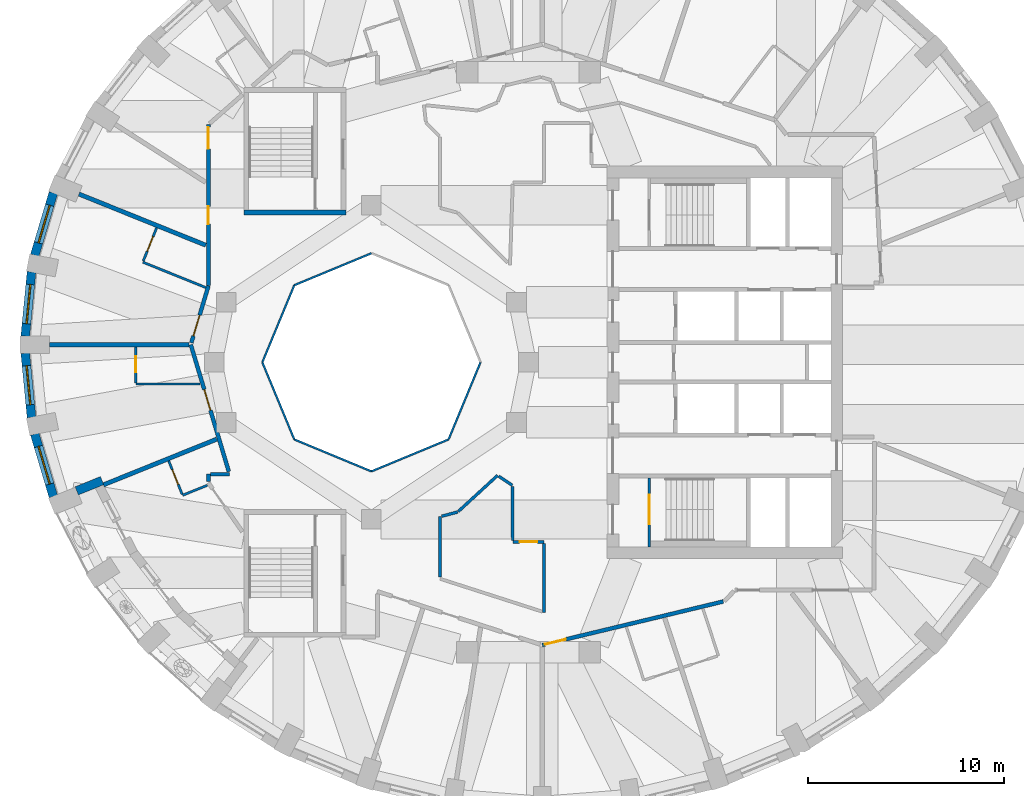
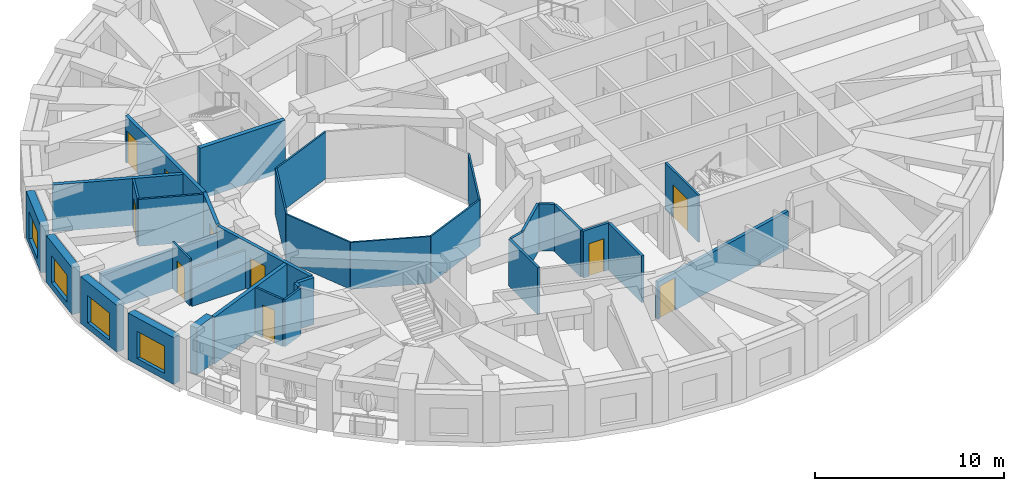
# One storey, part 4 of 12: 35 walls, 10 doors, 4 windows, 14 openings.
"""IFC4 building model written with IfcOpenShell, lengths in metres."""

from ifc_helpers import new_model, si_unit, direction, frame, frame_2d, origin, place, context, subcontext, project, spatial, rectangle, extrude, material, layer, layer_set, type_object, element, fill, save


model = new_model("IFC4")

# Units and contexts
model_context = context("Model", 3, precision=1e-05, world=origin(), true_north=direction((0.0, 1.0)))
body_context = subcontext(model_context, "Body", "Model", "MODEL_VIEW")
ifc_project = project(units=[si_unit("LENGTHUNIT", "METRE"), si_unit("AREAUNIT", "SQUARE_METRE"), si_unit("VOLUMEUNIT", "CUBIC_METRE"), si_unit("PLANEANGLEUNIT", "RADIAN"), si_unit("MASSUNIT", "GRAM", prefix="KILO")], contexts=[model_context])

# Site, building, storey
site_placement = place(None, origin())
site = spatial("IfcSite", under=ifc_project, at=site_placement, CompositionType="ELEMENT")
building_placement = place(site_placement, origin())
building = spatial("IfcBuilding", under=site, at=building_placement, Name="Taillehof Tower", CompositionType="ELEMENT")
storey_placement = place(building_placement, frame((0.0, 0.0, 222.199951171875)))
storey = spatial("IfcBuildingStorey", under=building, at=storey_placement, Name="L63", CompositionType="ELEMENT", Elevation=222.199951171875)

# Walls
ifc_material_1 = material(Name="Fire-resisting glass in steel frame", Category="steel")
ifc_layer_1 = layer(ifc_material_1, 0.10009765625)
ifc_layer_set_1 = layer_set([ifc_layer_1], Name="Atrium fire-resisting screen EI 60 100")
wall_type_1 = type_object("IfcWallType", Name="Atrium fire-resisting screen EI 60 100", PredefinedType="PARTITIONING", material=ifc_layer_set_1)
for number, where, z_axis, x_axis, name in (
    (1, (-2.44580078125, 0.0, 0.0), (0.0, 0.0, 1.0), (-0.382730523909, -0.923860025149, 0.0), "Atrium screen"),
    (2, (-4.07275390625, -3.92724609375, 0.0), (0.0, 0.0, 1.0), (-0.923860025149, -0.382730523909, 0.0), "Atrium screen"),
    (3, (-8.0, -5.55419921875, 0.0), (0.0, 0.0, 1.0), (-0.923860025149, 0.382730523909, 0.0), "Atrium screen"),
    (4, (-11.92724609375, -3.92724609375, 0.0), (0.0, 0.0, 1.0), (-0.382730523909, 0.923860025149, 0.0), "Atrium screen"),
    (5, (-13.55419921875, 0.0, 0.0), (0.0, 0.0, 1.0), (0.382730523909, 0.923860025149, 0.0), "Atrium screen"),
    (6, (-11.92724609375, 3.92724609375, 0.0), (0.0, 0.0, 1.0), (0.923860025149, 0.382730523909, 0.0), "Atrium screen"),
):
    element("IfcWall", number, at=place(storey_placement, frame(where, z_axis=z_axis, x_axis=x_axis)), inside=storey, type_object=wall_type_1, Name=name, PredefinedType="PARTITIONING", context=body_context, shape_type="SweptSolid", body=[
        extrude(rectangle(XDim=4.2509765625, YDim=0.10009765625, at=frame_2d((2.12548828125, 0.0))), origin(), (0.0, 0.0, 1.0), 3.02001953125),
    ])

# Wall, opening, window
ifc_material_2 = material(Name="Brick masonry", Category="masonry")
ifc_layer_2 = layer(ifc_material_2, 0.449951171875)
ifc_layer_set_2 = layer_set([ifc_layer_2], Name="Brick infill wall 450")
wall_type_2 = type_object("IfcWallType", Name="Brick infill wall 450", PredefinedType="SOLIDWALL", material=ifc_layer_set_2)
wall_1_placement = place(storey_placement, frame((-24.200439453125, 8.634033203125, 0.0), z_axis=(0.0, 0.0, 1.0), x_axis=(-0.285444972963, -0.958395099847, 0.0)))
wall_1 = element("IfcWall", 7, at=wall_1_placement, inside=storey, type_object=wall_type_2, Name="Brick wall L63 bay 17", PredefinedType="SOLIDWALL", context=body_context, shape_type="SweptSolid", body=[
    extrude(rectangle(XDim=3.3203125, YDim=0.449951171875, at=frame_2d((1.66015625, 0.0))), origin(), (0.0, 0.0, 1.0), 3.02001953125),
])
opening_1_placement = place(wall_1_placement, frame((0.66015625, 0.0, 0.39990234375)))
opening_1 = element("IfcOpeningElement", 8, at=opening_1_placement, cuts=wall_1, Name="Opening W2", PredefinedType="OPENING", context=body_context, shape_type="SweptSolid", body=[
    extrude(rectangle(XDim=2.0, YDim=1.75, at=frame_2d((1.0, 0.875))), frame((0.0, 0.23486328125, 0.0), z_axis=(0.0, -1.0, 0.0), x_axis=(1.0, 0.0, 0.0)), (0.0, 0.0, 1.0), 0.469970703125),
])
ifc_material_3 = material(Name="Aluminium window frame with clear double glazing", Category="aluminium")
window_type = type_object("IfcWindowType", Name="Deep-set window 2000x1750", PartitioningType="SINGLE_PANEL", PredefinedType="WINDOW", material=ifc_material_3)
window_1_placement = place(opening_1_placement, origin())
window_1 = element("IfcWindow", 9, at=window_1_placement, inside=storey, type_object=window_type, Name="W2", OverallHeight=1.75, OverallWidth=2.0, PartitioningType="SINGLE_PANEL", PredefinedType="WINDOW", context=body_context, shape_type="SweptSolid", body=[
    extrude(rectangle(XDim=2.0, YDim=1.75, at=frame_2d((1.0, 0.875))), frame((0.0, 0.034912109375, 0.0), z_axis=(0.0, -1.0, 0.0), x_axis=(1.0, 0.0, 0.0)), (0.0, 0.0, 1.0), 0.06005859375),
])
fill(opening_1, window_1)

wall_2_placement = place(storey_placement, frame((-25.313232421875, 4.607666015625, 0.0), z_axis=(0.0, 0.0, 1.0), x_axis=(-0.096824116835, -0.995301507283, 0.0)))
wall_2 = element("IfcWall", 10, at=wall_2_placement, inside=storey, type_object=wall_type_2, Name="Brick wall L63 bay 18", PredefinedType="SOLIDWALL", context=body_context, shape_type="SweptSolid", body=[
    extrude(rectangle(XDim=3.29296875, YDim=0.449951171875, at=frame_2d((1.646484375, 0.0))), origin(), (0.0, 0.0, 1.0), 3.02001953125),
])
opening_2_placement = place(wall_2_placement, frame((0.646484375, 0.0, 0.39990234375)))
opening_2 = element("IfcOpeningElement", 11, at=opening_2_placement, cuts=wall_2, Name="Opening W2", PredefinedType="OPENING", context=body_context, shape_type="SweptSolid", body=[
    extrude(rectangle(XDim=2.0, YDim=1.75, at=frame_2d((1.0, 0.875))), frame((0.0, 0.23486328125, 0.0), z_axis=(0.0, -1.0, 0.0), x_axis=(1.0, 0.0, 0.0)), (0.0, 0.0, 1.0), 0.469970703125),
])
window_2_placement = place(opening_2_placement, origin())
window_2 = element("IfcWindow", 12, at=window_2_placement, inside=storey, type_object=window_type, Name="W2", OverallHeight=1.75, OverallWidth=2.0, PartitioningType="SINGLE_PANEL", PredefinedType="WINDOW", context=body_context, shape_type="SweptSolid", body=[
    extrude(rectangle(XDim=2.0, YDim=1.75, at=frame_2d((1.0, 0.875))), frame((0.0, 0.034912109375, 0.0), z_axis=(0.0, -1.0, 0.0), x_axis=(1.0, 0.0, 0.0)), (0.0, 0.0, 1.0), 0.06005859375),
])
fill(opening_2, window_2)

wall_3_placement = place(storey_placement, frame((-25.632080078125, 0.469970703125, 0.0), z_axis=(0.0, 0.0, 1.0), x_axis=(0.096816972749, -0.995302202242, 0.0)))
wall_3 = element("IfcWall", 13, at=wall_3_placement, inside=storey, type_object=wall_type_2, Name="Brick wall L63 bay 19", PredefinedType="SOLIDWALL", context=body_context, shape_type="SweptSolid", body=[
    extrude(rectangle(XDim=3.293212890625, YDim=0.449951171875, at=frame_2d((1.646484375, 0.0))), origin(), (0.0, 0.0, 1.0), 3.02001953125),
])
opening_3_placement = place(wall_3_placement, frame((0.646484375, 0.0, 0.39990234375)))
opening_3 = element("IfcOpeningElement", 14, at=opening_3_placement, cuts=wall_3, Name="Opening W2", PredefinedType="OPENING", context=body_context, shape_type="SweptSolid", body=[
    extrude(rectangle(XDim=2.0, YDim=1.75, at=frame_2d((1.0, 0.875))), frame((0.0, 0.23486328125, 0.0), z_axis=(0.0, -1.0, 0.0), x_axis=(1.0, 0.0, 0.0)), (0.0, 0.0, 1.0), 0.469970703125),
])
window_3_placement = place(opening_3_placement, origin())
window_3 = element("IfcWindow", 15, at=window_3_placement, inside=storey, type_object=window_type, Name="W2", OverallHeight=1.75, OverallWidth=2.0, PartitioningType="SINGLE_PANEL", PredefinedType="WINDOW", context=body_context, shape_type="SweptSolid", body=[
    extrude(rectangle(XDim=2.0, YDim=1.75, at=frame_2d((1.0, 0.875))), frame((0.0, 0.034912109375, 0.0), z_axis=(0.0, -1.0, 0.0), x_axis=(1.0, 0.0, 0.0)), (0.0, 0.0, 1.0), 0.06005859375),
])
fill(opening_3, window_3)

wall_4_placement = place(storey_placement, frame((-25.148193359375, -3.65185546875, 0.0), z_axis=(0.0, 0.0, 1.0), x_axis=(0.285444972963, -0.958395099847, 0.0)))
wall_4 = element("IfcWall", 16, at=wall_4_placement, inside=storey, type_object=wall_type_2, Name="Brick wall L63 bay 20", PredefinedType="SOLIDWALL", context=body_context, shape_type="SweptSolid", body=[
    extrude(rectangle(XDim=3.3203125, YDim=0.449951171875, at=frame_2d((1.66015625, 0.0))), origin(), (0.0, 0.0, 1.0), 3.02001953125),
])
opening_4_placement = place(wall_4_placement, frame((0.66015625, 0.0, 0.39990234375)))
opening_4 = element("IfcOpeningElement", 17, at=opening_4_placement, cuts=wall_4, Name="Opening W2", PredefinedType="OPENING", context=body_context, shape_type="SweptSolid", body=[
    extrude(rectangle(XDim=2.0, YDim=1.75, at=frame_2d((1.0, 0.875))), frame((0.0, 0.23486328125, 0.0), z_axis=(0.0, -1.0, 0.0), x_axis=(1.0, 0.0, 0.0)), (0.0, 0.0, 1.0), 0.469970703125),
])
window_4_placement = place(opening_4_placement, origin())
window_4 = element("IfcWindow", 18, at=window_4_placement, inside=storey, type_object=window_type, Name="W2", OverallHeight=1.75, OverallWidth=2.0, PartitioningType="SINGLE_PANEL", PredefinedType="WINDOW", context=body_context, shape_type="SweptSolid", body=[
    extrude(rectangle(XDim=2.0, YDim=1.75, at=frame_2d((1.0, 0.875))), frame((0.0, 0.034912109375, 0.0), z_axis=(0.0, -1.0, 0.0), x_axis=(1.0, 0.0, 0.0)), (0.0, 0.0, 1.0), 0.06005859375),
])
fill(opening_4, window_4)

# Wall
wall_5_placement = place(storey_placement, frame((-23.0078125, -6.54638671875, 0.0), z_axis=(0.0, 0.0, 1.0), x_axis=(0.927346156366, 0.37420463155, 0.0)))
element("IfcWall", 19, at=wall_5_placement, inside=storey, type_object=wall_type_2, Name="Brick reveal L63 pocket 6", PredefinedType="SOLIDWALL", context=body_context, shape_type="SweptSolid", body=[
    extrude(rectangle(XDim=1.390380859375, YDim=0.449951171875, at=frame_2d((0.6953125, 0.0))), origin(), (0.0, 0.0, 1.0), 3.02001953125),
])

# Wall, opening, door
ifc_material_4 = material(Name="Gypsum board on steel studs, two layers each side", Category="steel")
ifc_layer_3 = layer(ifc_material_4, 0.199951171875)
ifc_layer_set_3 = layer_set([ifc_layer_3], Name="Compartment wall corridor 200")
wall_type_3 = type_object("IfcWallType", Name="Compartment wall corridor 200", PredefinedType="PARTITIONING", material=ifc_layer_set_3)
wall_6_placement = place(storey_placement, frame((9.922119140625, -12.1826171875, 0.0), z_axis=(0.0, 0.0, 1.0), x_axis=(-0.972292362394, -0.233768180104, 0.0)))
wall_6 = element("IfcWall", 20, at=wall_6_placement, inside=storey, type_object=wall_type_3, Name="Compartment wall", PredefinedType="PARTITIONING", context=body_context, shape_type="SweptSolid", body=[
    extrude(rectangle(XDim=9.48486328125, YDim=0.199951171875, at=frame_2d((4.742431640625, 0.0))), origin(), (0.0, 0.0, 1.0), 2.420166015625),
])
opening_5_placement = place(wall_6_placement, frame((8.244873046875, 0.0, 0.0)))
opening_5 = element("IfcOpeningElement", 21, at=opening_5_placement, cuts=wall_6, Name="Opening D6361", PredefinedType="OPENING", context=body_context, shape_type="SweptSolid", body=[
    extrude(rectangle(XDim=1.10009765625, YDim=2.10009765625, at=frame_2d((0.550048828125, 1.050048828125))), frame((0.0, 0.10986328125, 0.0), z_axis=(0.0, -1.0, 0.0), x_axis=(1.0, 0.0, 0.0)), (0.0, 0.0, 1.0), 0.219970703125),
])
ifc_material_5 = material(Name="Timber door leaf in steel frame", Category="steel")
door_type_1 = type_object("IfcDoorType", Name="Suite entrance door EI 30 1100 x 2100", OperationType="SINGLE_SWING_LEFT", PredefinedType="DOOR", material=ifc_material_5)
door_1_placement = place(opening_5_placement, origin())
door_1 = element("IfcDoor", 22, at=door_1_placement, inside=storey, type_object=door_type_1, Name="D6361", OperationType="SINGLE_SWING_RIGHT", OverallHeight=2.10009765625, OverallWidth=1.10009765625, PredefinedType="DOOR", context=body_context, shape_type="SweptSolid", body=[
    extrude(rectangle(XDim=1.10009765625, YDim=2.10009765625, at=frame_2d((0.550048828125, 1.050048828125))), frame((0.0, 0.02490234375, 0.0), z_axis=(0.0, -1.0, 0.0), x_axis=(1.0, 0.0, 0.0)), (0.0, 0.0, 1.0), 0.050048828125),
])
fill(opening_5, door_1)

# Walls
wall_7_placement = place(storey_placement, frame((-16.300048828125, -6.080078125, 0.0), z_axis=(0.0, 0.0, 1.0), x_axis=(0.0, 1.0, 0.0)))
element("IfcWall", 23, at=wall_7_placement, inside=storey, type_object=wall_type_3, Name="Compartment wall", PredefinedType="PARTITIONING", context=body_context, shape_type="SweptSolid", body=[
    extrude(rectangle(XDim=0.380126953125, YDim=0.199951171875, at=frame_2d((0.18994140625, 0.0))), origin(), (0.0, 0.0, 1.0), 3.02001953125),
])
wall_8_placement = place(storey_placement, frame((-16.199951171875, -5.699951171875, 0.0), z_axis=(0.0, 0.0, 1.0), x_axis=(1.0, 0.0, 0.0)))
element("IfcWall", 24, at=wall_8_placement, inside=storey, type_object=wall_type_3, Name="Compartment wall", PredefinedType="PARTITIONING", context=body_context, shape_type="SweptSolid", body=[
    extrude(rectangle(XDim=0.978759765625, YDim=0.199951171875, at=frame_2d((0.4892578125, 0.0))), origin(), (0.0, 0.0, 1.0), 3.02001953125),
])

# Wall, opening, door
wall_9_placement = place(storey_placement, frame((-15.26220703125, -5.566650390625, 0.0), z_axis=(0.0, 0.0, 1.0), x_axis=(-0.28704593875, 0.957916817395, 0.0)))
wall_9 = element("IfcWall", 25, at=wall_9_placement, inside=storey, type_object=wall_type_3, Name="Compartment wall", PredefinedType="PARTITIONING", context=body_context, shape_type="SweptSolid", body=[
    extrude(rectangle(XDim=6.750732421875, YDim=0.199951171875, at=frame_2d((3.37548828125, 0.0))), origin(), (0.0, 0.0, 1.0), 3.02001953125),
])
opening_6_placement = place(wall_9_placement, frame((3.25927734375, 0.0, 0.0)))
opening_6 = element("IfcOpeningElement", 26, at=opening_6_placement, cuts=wall_9, Name="Opening D6354", PredefinedType="OPENING", context=body_context, shape_type="SweptSolid", body=[
    extrude(rectangle(XDim=1.10009765625, YDim=2.10009765625, at=frame_2d((0.550048828125, 1.050048828125))), frame((0.0, 0.10986328125, 0.0), z_axis=(0.0, -1.0, 0.0), x_axis=(1.0, 0.0, 0.0)), (0.0, 0.0, 1.0), 0.219970703125),
])
door_2_placement = place(opening_6_placement, origin())
door_2 = element("IfcDoor", 27, at=door_2_placement, inside=storey, type_object=door_type_1, Name="D6354", OperationType="SINGLE_SWING_RIGHT", OverallHeight=2.10009765625, OverallWidth=1.10009765625, PredefinedType="DOOR", context=body_context, shape_type="SweptSolid", body=[
    extrude(rectangle(XDim=1.10009765625, YDim=2.10009765625, at=frame_2d((0.550048828125, 1.050048828125))), frame((0.0, 0.02490234375, 0.0), z_axis=(0.0, -1.0, 0.0), x_axis=(1.0, 0.0, 0.0)), (0.0, 0.0, 1.0), 0.050048828125),
])
fill(opening_6, door_2)

wall_10_placement = place(storey_placement, frame((-17.170654296875, 0.9951171875, 0.0), z_axis=(0.0, 0.0, 1.0), x_axis=(0.286919722033, 0.957954629984, 0.0)))
wall_10 = element("IfcWall", 28, at=wall_10_placement, inside=storey, type_object=wall_type_3, Name="Compartment wall", PredefinedType="PARTITIONING", context=body_context, shape_type="SweptSolid", body=[
    extrude(rectangle(XDim=3.034423828125, YDim=0.199951171875, at=frame_2d((1.51708984375, 0.0))), origin(), (0.0, 0.0, 1.0), 3.02001953125),
])
opening_7_placement = place(wall_10_placement, frame((0.365234375, 0.0, 0.0)))
opening_7 = element("IfcOpeningElement", 29, at=opening_7_placement, cuts=wall_10, Name="Opening D6352", PredefinedType="OPENING", context=body_context, shape_type="SweptSolid", body=[
    extrude(rectangle(XDim=1.10009765625, YDim=2.10009765625, at=frame_2d((0.550048828125, 1.050048828125))), frame((0.0, 0.10986328125, 0.0), z_axis=(0.0, -1.0, 0.0), x_axis=(1.0, 0.0, 0.0)), (0.0, 0.0, 1.0), 0.219970703125),
])
door_3_placement = place(opening_7_placement, origin())
door_3 = element("IfcDoor", 30, at=door_3_placement, inside=storey, type_object=door_type_1, Name="D6352", OperationType="SINGLE_SWING_LEFT", OverallHeight=2.10009765625, OverallWidth=1.10009765625, PredefinedType="DOOR", context=body_context, shape_type="SweptSolid", body=[
    extrude(rectangle(XDim=1.10009765625, YDim=2.10009765625, at=frame_2d((0.550048828125, 1.050048828125))), frame((0.0, 0.02490234375, 0.0), z_axis=(0.0, -1.0, 0.0), x_axis=(1.0, 0.0, 0.0)), (0.0, 0.0, 1.0), 0.050048828125),
])
fill(opening_7, door_3)

# Wall, openings, doors
wall_11_placement = place(storey_placement, frame((-16.300048828125, 3.921875, 0.0), z_axis=(0.0, 0.0, 1.0), x_axis=(0.0, 1.0, 0.0)))
wall_11 = element("IfcWall", 31, at=wall_11_placement, inside=storey, type_object=wall_type_3, Name="Compartment wall", PredefinedType="PARTITIONING", context=body_context, shape_type="SweptSolid", body=[
    extrude(rectangle(XDim=8.193115234375, YDim=0.199951171875, at=frame_2d((4.0966796875, 0.0))), origin(), (0.0, 0.0, 1.0), 3.02001953125),
])
opening_8_placement = place(wall_11_placement, frame((6.953125, 0.0, 0.0)))
opening_8 = element("IfcOpeningElement", 32, at=opening_8_placement, cuts=wall_11, Name="Opening D6349", PredefinedType="OPENING", context=body_context, shape_type="SweptSolid", body=[
    extrude(rectangle(XDim=1.10009765625, YDim=2.10009765625, at=frame_2d((0.550048828125, 1.050048828125))), frame((0.0, 0.10986328125, 0.0), z_axis=(0.0, -1.0, 0.0), x_axis=(1.0, 0.0, 0.0)), (0.0, 0.0, 1.0), 0.219970703125),
])
opening_9_placement = place(wall_11_placement, frame((3.123046875, 0.0, 0.0)))
opening_9 = element("IfcOpeningElement", 33, at=opening_9_placement, cuts=wall_11, Name="Opening D6351", PredefinedType="OPENING", context=body_context, shape_type="SweptSolid", body=[
    extrude(rectangle(XDim=0.89990234375, YDim=2.10009765625, at=frame_2d((0.449951171875, 1.050048828125))), frame((0.0, 0.10986328125, 0.0), z_axis=(0.0, -1.0, 0.0), x_axis=(1.0, 0.0, 0.0)), (0.0, 0.0, 1.0), 0.219970703125),
])
ifc_material_6 = material(Name="Timber door leaf in steel frame", Category="steel")
door_type_2 = type_object("IfcDoorType", Name="Service room door EI 30 900 x 2100", OperationType="SINGLE_SWING_LEFT", PredefinedType="DOOR", material=ifc_material_6)
door_4_placement = place(opening_9_placement, origin())
door_4 = element("IfcDoor", 34, at=door_4_placement, inside=storey, type_object=door_type_2, Name="D6351", OperationType="SINGLE_SWING_LEFT", OverallHeight=2.10009765625, OverallWidth=0.89990234375, PredefinedType="DOOR", context=body_context, shape_type="SweptSolid", body=[
    extrude(rectangle(XDim=0.89990234375, YDim=2.10009765625, at=frame_2d((0.449951171875, 1.050048828125))), frame((0.0, 0.02490234375, 0.0), z_axis=(0.0, -1.0, 0.0), x_axis=(1.0, 0.0, 0.0)), (0.0, 0.0, 1.0), 0.050048828125),
])
fill(opening_9, door_4)
door_5_placement = place(opening_8_placement, origin())
door_5 = element("IfcDoor", 35, at=door_5_placement, inside=storey, type_object=door_type_1, Name="D6349", OperationType="SINGLE_SWING_LEFT", OverallHeight=2.10009765625, OverallWidth=1.10009765625, PredefinedType="DOOR", context=body_context, shape_type="SweptSolid", body=[
    extrude(rectangle(XDim=1.10009765625, YDim=2.10009765625, at=frame_2d((0.550048828125, 1.050048828125))), frame((0.0, 0.02490234375, 0.0), z_axis=(0.0, -1.0, 0.0), x_axis=(1.0, 0.0, 0.0)), (0.0, 0.0, 1.0), 0.050048828125),
])
fill(opening_8, door_5)

# Walls
ifc_material_7 = material(Name="Gypsum board on double steel studs with mineral wool", Category="steel")
ifc_layer_4 = layer(ifc_material_7, 0.219970703125)
ifc_layer_set_4 = layer_set([ifc_layer_4], Name="Compartment wall guest room 220")
wall_type_4 = type_object("IfcWallType", Name="Compartment wall guest room 220", PredefinedType="PARTITIONING", material=ifc_layer_set_4)
wall_12_placement = place(storey_placement, frame((-22.8955078125, 8.5712890625, 0.0), z_axis=(0.0, 0.0, 1.0), x_axis=(0.927387137769, -0.374103056256, 0.0)))
element("IfcWall", 36, at=wall_12_placement, inside=storey, type_object=wall_type_4, Name="Compartment wall", PredefinedType="PARTITIONING", context=body_context, shape_type="SweptSolid", body=[
    extrude(rectangle(XDim=6.9638671875, YDim=0.219970703125, at=frame_2d((3.48193359375, 0.0))), origin(), (0.0, 0.0, 1.0), 3.02001953125),
])
wall_13_placement = place(storey_placement, frame((-24.39990234375, 0.89990234375, 0.0), z_axis=(0.0, 0.0, 1.0), x_axis=(1.0, 0.0, 0.0)))
element("IfcWall", 37, at=wall_13_placement, inside=storey, type_object=wall_type_4, Name="Compartment wall", PredefinedType="PARTITIONING", context=body_context, shape_type="SweptSolid", body=[
    extrude(rectangle(XDim=7.099853515625, YDim=0.219970703125, at=frame_2d((3.5498046875, 0.0))), origin(), (0.0, 0.0, 1.0), 2.469970703125),
])
wall_14_placement = place(storey_placement, frame((-21.65087890625, -6.241455078125, 0.0), z_axis=(0.0, 0.0, 1.0), x_axis=(0.927390089179, 0.37409573974, 0.0)))
element("IfcWall", 38, at=wall_14_placement, inside=storey, type_object=wall_type_4, Name="Compartment wall", PredefinedType="PARTITIONING", context=body_context, shape_type="SweptSolid", body=[
    extrude(rectangle(XDim=6.220703125, YDim=0.219970703125, at=frame_2d((3.1103515625, 0.0))), origin(), (0.0, 0.0, 1.0), 3.02001953125),
])

# Wall, opening, door
ifc_material_8 = material(Name="Gypsum board on steel studs, two layers each side", Category="steel")
ifc_layer_5 = layer(ifc_material_8, 0.14990234375)
ifc_layer_set_5 = layer_set([ifc_layer_5], Name="Compartment wall service room 150")
wall_type_5 = type_object("IfcWallType", Name="Compartment wall service room 150", PredefinedType="PARTITIONING", material=ifc_layer_set_5)
wall_15_placement = place(storey_placement, frame((-0.800048828125, -9.14990234375, 0.0), z_axis=(0.0, 0.0, 1.0), x_axis=(1.0, 0.0, 0.0)))
wall_15 = element("IfcWall", 39, at=wall_15_placement, inside=storey, type_object=wall_type_5, Name="Compartment wall", PredefinedType="PARTITIONING", context=body_context, shape_type="SweptSolid", body=[
    extrude(rectangle(XDim=1.60009765625, YDim=0.14990234375, at=frame_2d((0.800048828125, 0.0))), origin(), (0.0, 0.0, 1.0), 3.02001953125),
])
opening_10_placement = place(wall_15_placement, frame((0.35009765625, 0.0, 0.0)))
opening_10 = element("IfcOpeningElement", 40, at=opening_10_placement, cuts=wall_15, Name="Opening D6369", PredefinedType="OPENING", context=body_context, shape_type="SweptSolid", body=[
    extrude(rectangle(XDim=0.89990234375, YDim=2.10009765625, at=frame_2d((0.449951171875, 1.050048828125))), frame((0.0, 0.0849609375, 0.0), z_axis=(0.0, -1.0, 0.0), x_axis=(1.0, 0.0, 0.0)), (0.0, 0.0, 1.0), 0.169921875),
])
door_6_placement = place(opening_10_placement, origin())
door_6 = element("IfcDoor", 41, at=door_6_placement, inside=storey, type_object=door_type_2, Name="D6369", OperationType="SINGLE_SWING_LEFT", OverallHeight=2.10009765625, OverallWidth=0.89990234375, PredefinedType="DOOR", context=body_context, shape_type="SweptSolid", body=[
    extrude(rectangle(XDim=0.89990234375, YDim=2.10009765625, at=frame_2d((0.449951171875, 1.050048828125))), frame((0.0, 0.02490234375, 0.0), z_axis=(0.0, -1.0, 0.0), x_axis=(1.0, 0.0, 0.0)), (0.0, 0.0, 1.0), 0.050048828125),
])
fill(opening_10, door_6)

# Walls
wall_16_placement = place(storey_placement, frame((0.800048828125, -9.22998046875, 0.0), z_axis=(0.0, 0.0, 1.0), x_axis=(0.0, -1.0, 0.0)))
element("IfcWall", 42, at=wall_16_placement, inside=storey, type_object=wall_type_5, Name="Compartment wall", PredefinedType="PARTITIONING", context=body_context, shape_type="SweptSolid", body=[
    extrude(rectangle(XDim=3.50048828125, YDim=0.14990234375, at=frame_2d((1.750244140625, 0.0))), origin(), (0.0, 0.0, 1.0), 3.02001953125),
])
wall_17_placement = place(storey_placement, frame((-4.5, -10.947021484375, 0.0), z_axis=(0.0, 0.0, 1.0), x_axis=(0.0, 1.0, 0.0)))
element("IfcWall", 43, at=wall_17_placement, inside=storey, type_object=wall_type_5, Name="Compartment wall", PredefinedType="PARTITIONING", context=body_context, shape_type="SweptSolid", body=[
    extrude(rectangle(XDim=3.0849609375, YDim=0.14990234375, at=frame_2d((1.54248046875, 0.0))), origin(), (0.0, 0.0, 1.0), 3.02001953125),
])
wall_18_placement = place(storey_placement, frame((-4.4228515625, -7.841552734375, 0.0), z_axis=(0.0, 0.0, 1.0), x_axis=(0.965853333569, 0.259089440221, 0.0)))
element("IfcWall", 44, at=wall_18_placement, inside=storey, type_object=wall_type_5, Name="Compartment wall", PredefinedType="PARTITIONING", context=body_context, shape_type="SweptSolid", body=[
    extrude(rectangle(XDim=0.851806640625, YDim=0.14990234375, at=frame_2d((0.42578125, 0.0))), origin(), (0.0, 0.0, 1.0), 3.02001953125),
])
wall_19_placement = place(storey_placement, frame((-3.57080078125, -7.593994140625, 0.0), z_axis=(0.0, 0.0, 1.0), x_axis=(0.736783660812, 0.676128565555, 0.0)))
element("IfcWall", 45, at=wall_19_placement, inside=storey, type_object=wall_type_5, Name="Compartment wall", PredefinedType="PARTITIONING", context=body_context, shape_type="SweptSolid", body=[
    extrude(rectangle(XDim=2.708984375, YDim=0.14990234375, at=frame_2d((1.3544921875, 0.0))), origin(), (0.0, 0.0, 1.0), 3.02001953125),
])
wall_20_placement = place(storey_placement, frame((-1.508544921875, -5.806396484375, 0.0), z_axis=(0.0, 0.0, 1.0), x_axis=(0.831367153095, -0.55572354346, 0.0)))
element("IfcWall", 46, at=wall_20_placement, inside=storey, type_object=wall_type_5, Name="Compartment wall", PredefinedType="PARTITIONING", context=body_context, shape_type="SweptSolid", body=[
    extrude(rectangle(XDim=0.825439453125, YDim=0.14990234375, at=frame_2d((0.41259765625, 0.0))), origin(), (0.0, 0.0, 1.0), 3.02001953125),
])
wall_21_placement = place(storey_placement, frame((-0.821533203125, -6.3251953125, 0.0), z_axis=(0.0, 0.0, 1.0), x_axis=(0.007471771501, -0.999972085926, 0.0)))
element("IfcWall", 47, at=wall_21_placement, inside=storey, type_object=wall_type_5, Name="Compartment wall", PredefinedType="PARTITIONING", context=body_context, shape_type="SweptSolid", body=[
    extrude(rectangle(XDim=2.74462890625, YDim=0.14990234375, at=frame_2d((1.372314453125, 0.0))), origin(), (0.0, 0.0, 1.0), 3.02001953125),
])
ifc_material_9 = material(Name="Gypsum board on steel studs, moisture resistant", Category="steel")
ifc_layer_6 = layer(ifc_material_9, 0.1201171875)
ifc_layer_set_6 = layer_set([ifc_layer_6], Name="En-suite wall 120")
wall_type_6 = type_object("IfcWallType", Name="En-suite wall 120", PredefinedType="PARTITIONING", material=ifc_layer_set_6)
wall_22_placement = place(storey_placement, frame((-16.4326171875, 3.8076171875, 0.0), z_axis=(0.0, 0.0, 1.0), x_axis=(-0.927374031513, 0.374135544522, 0.0)))
element("IfcWall", 48, at=wall_22_placement, inside=storey, type_object=wall_type_6, Name="En-suite wall", PredefinedType="PARTITIONING", context=body_context, shape_type="SweptSolid", body=[
    extrude(rectangle(XDim=3.463623046875, YDim=0.1201171875, at=frame_2d((1.73193359375, 0.0))), origin(), (0.0, 0.0, 1.0), 3.02001953125),
])
wall_23_placement = place(storey_placement, frame((-16.724609375, -1.10009765625, 0.0), z_axis=(0.0, 0.0, 1.0), x_axis=(-1.0, 0.0, 0.0)))
element("IfcWall", 49, at=wall_23_placement, inside=storey, type_object=wall_type_6, Name="En-suite wall", PredefinedType="PARTITIONING", context=body_context, shape_type="SweptSolid", body=[
    extrude(rectangle(XDim=3.275390625, YDim=0.1201171875, at=frame_2d((1.6376953125, 0.0))), origin(), (0.0, 0.0, 1.0), 2.469970703125),
])
wall_24_placement = place(storey_placement, frame((-16.35986328125, -6.263671875, 0.0), z_axis=(0.0, 0.0, 1.0), x_axis=(-0.927381089245, -0.374118049967, 0.0)))
element("IfcWall", 50, at=wall_24_placement, inside=storey, type_object=wall_type_6, Name="En-suite wall", PredefinedType="PARTITIONING", context=body_context, shape_type="SweptSolid", body=[
    extrude(rectangle(XDim=1.357421875, YDim=0.1201171875, at=frame_2d((0.6787109375, 0.0))), origin(), (0.0, 0.0, 1.0), 3.02001953125),
])

# Wall, opening, door
wall_25_placement = place(storey_placement, frame((-19.6220703125, 5.1591796875, 0.0), z_axis=(0.0, 0.0, 1.0), x_axis=(0.373873925611, 0.927479534948, 0.0)))
wall_25 = element("IfcWall", 51, at=wall_25_placement, inside=storey, type_object=wall_type_6, Name="En-suite wall", PredefinedType="PARTITIONING", context=body_context, shape_type="SweptSolid", body=[
    extrude(rectangle(XDim=1.829833984375, YDim=0.1201171875, at=frame_2d((0.9150390625, 0.0))), origin(), (0.0, 0.0, 1.0), 3.02001953125),
])
opening_11_placement = place(wall_25_placement, frame((0.539794921875, 0.0, 0.0)))
opening_11 = element("IfcOpeningElement", 52, at=opening_11_placement, cuts=wall_25, Name="Opening D6353", PredefinedType="OPENING", context=body_context, shape_type="SweptSolid", body=[
    extrude(rectangle(XDim=0.800048828125, YDim=2.10009765625, at=frame_2d((0.39990234375, 1.050048828125))), frame((0.0, 0.070068359375, 0.0), z_axis=(0.0, -1.0, 0.0), x_axis=(1.0, 0.0, 0.0)), (0.0, 0.0, 1.0), 0.14013671875),
])
ifc_material_10 = material(Name="Timber door leaf in steel frame", Category="steel")
door_type_3 = type_object("IfcDoorType", Name="En-suite door 800 x 2100", OperationType="SINGLE_SWING_LEFT", PredefinedType="DOOR", material=ifc_material_10)
door_7_placement = place(opening_11_placement, origin())
door_7 = element("IfcDoor", 53, at=door_7_placement, inside=storey, type_object=door_type_3, Name="D6353", OperationType="SINGLE_SWING_RIGHT", OverallHeight=2.10009765625, OverallWidth=0.800048828125, PredefinedType="DOOR", context=body_context, shape_type="SweptSolid", body=[
    extrude(rectangle(XDim=0.800048828125, YDim=2.10009765625, at=frame_2d((0.39990234375, 1.050048828125))), frame((0.0, 0.02490234375, 0.0), z_axis=(0.0, -1.0, 0.0), x_axis=(1.0, 0.0, 0.0)), (0.0, 0.0, 1.0), 0.050048828125),
])
fill(opening_11, door_7)

wall_26_placement = place(storey_placement, frame((-20.0, -1.0400390625, 0.0), z_axis=(0.0, 0.0, 1.0), x_axis=(0.0, 1.0, 0.0)))
wall_26 = element("IfcWall", 54, at=wall_26_placement, inside=storey, type_object=wall_type_6, Name="En-suite wall", PredefinedType="PARTITIONING", context=body_context, shape_type="SweptSolid", body=[
    extrude(rectangle(XDim=1.829833984375, YDim=0.1201171875, at=frame_2d((0.9150390625, 0.0))), origin(), (0.0, 0.0, 1.0), 3.02001953125),
])
opening_12_placement = place(wall_26_placement, frame((0.5400390625, 0.0, 0.0)))
opening_12 = element("IfcOpeningElement", 55, at=opening_12_placement, cuts=wall_26, Name="Opening D6355", PredefinedType="OPENING", context=body_context, shape_type="SweptSolid", body=[
    extrude(rectangle(XDim=0.800048828125, YDim=2.10009765625, at=frame_2d((0.39990234375, 1.050048828125))), frame((0.0, 0.070068359375, 0.0), z_axis=(0.0, -1.0, 0.0), x_axis=(1.0, 0.0, 0.0)), (0.0, 0.0, 1.0), 0.14013671875),
])
door_8_placement = place(opening_12_placement, origin())
door_8 = element("IfcDoor", 56, at=door_8_placement, inside=storey, type_object=door_type_3, Name="D6355", OperationType="SINGLE_SWING_RIGHT", OverallHeight=2.10009765625, OverallWidth=0.800048828125, PredefinedType="DOOR", context=body_context, shape_type="SweptSolid", body=[
    extrude(rectangle(XDim=0.800048828125, YDim=2.10009765625, at=frame_2d((0.39990234375, 1.050048828125))), frame((0.0, 0.02490234375, 0.0), z_axis=(0.0, -1.0, 0.0), x_axis=(1.0, 0.0, 0.0)), (0.0, 0.0, 1.0), 0.050048828125),
])
fill(opening_12, door_8)

wall_27_placement = place(storey_placement, frame((-17.641357421875, -6.7158203125, 0.0), z_axis=(0.0, 0.0, 1.0), x_axis=(-0.374103450988, 0.927386978536, 0.0)))
wall_27 = element("IfcWall", 57, at=wall_27_placement, inside=storey, type_object=wall_type_6, Name="En-suite wall", PredefinedType="PARTITIONING", context=body_context, shape_type="SweptSolid", body=[
    extrude(rectangle(XDim=1.829833984375, YDim=0.1201171875, at=frame_2d((0.9150390625, 0.0))), origin(), (0.0, 0.0, 1.0), 3.02001953125),
])
opening_13_placement = place(wall_27_placement, frame((0.539794921875, 0.0, 0.0)))
opening_13 = element("IfcOpeningElement", 58, at=opening_13_placement, cuts=wall_27, Name="Opening D6357", PredefinedType="OPENING", context=body_context, shape_type="SweptSolid", body=[
    extrude(rectangle(XDim=0.800048828125, YDim=2.10009765625, at=frame_2d((0.39990234375, 1.050048828125))), frame((0.0, 0.070068359375, 0.0), z_axis=(0.0, -1.0, 0.0), x_axis=(1.0, 0.0, 0.0)), (0.0, 0.0, 1.0), 0.14013671875),
])
door_9_placement = place(opening_13_placement, origin())
door_9 = element("IfcDoor", 59, at=door_9_placement, inside=storey, type_object=door_type_3, Name="D6357", OperationType="SINGLE_SWING_RIGHT", OverallHeight=2.10009765625, OverallWidth=0.800048828125, PredefinedType="DOOR", context=body_context, shape_type="SweptSolid", body=[
    extrude(rectangle(XDim=0.800048828125, YDim=2.10009765625, at=frame_2d((0.39990234375, 1.050048828125))), frame((0.0, 0.02490234375, 0.0), z_axis=(0.0, -1.0, 0.0), x_axis=(1.0, 0.0, 0.0)), (0.0, 0.0, 1.0), 0.050048828125),
])
fill(opening_13, door_9)

ifc_material_11 = material(Name="Concrete C50/60", Category="concrete")
ifc_layer_7 = layer(ifc_material_11, 0.1201171875)
ifc_layer_set_7 = layer_set([ifc_layer_7], Name="Stair lobby wall C50/60 120")
wall_type_7 = type_object("IfcWallType", Name="Stair lobby wall C50/60 120", PredefinedType="SHEAR", material=ifc_layer_set_7)
wall_28_placement = place(storey_placement, frame((6.159912109375, -9.39990234375, 0.0), z_axis=(0.0, 0.0, 1.0), x_axis=(0.0, 1.0, 0.0)))
wall_28 = element("IfcWall", 60, at=wall_28_placement, inside=storey, type_object=wall_type_7, Name="Compartment wall SW", PredefinedType="SHEAR", context=body_context, shape_type="SweptSolid", body=[
    extrude(rectangle(XDim=3.5, YDim=0.1201171875, at=frame_2d((1.75, 0.0))), origin(), (0.0, 0.0, 1.0), 3.02001953125),
])
opening_14_placement = place(wall_28_placement, frame((1.14990234375, 0.0, 0.0)))
opening_14 = element("IfcOpeningElement", 61, at=opening_14_placement, cuts=wall_28, Name="Opening D6311", PredefinedType="OPENING", context=body_context, shape_type="SweptSolid", body=[
    extrude(rectangle(XDim=1.5, YDim=2.10009765625, at=frame_2d((0.75, 1.050048828125))), frame((0.0, 0.070068359375, 0.0), z_axis=(0.0, -1.0, 0.0), x_axis=(1.0, 0.0, 0.0)), (0.0, 0.0, 1.0), 0.14013671875),
])
ifc_material_12 = material(Name="Steel-faced fire door", Category="steel")
door_type_4 = type_object("IfcDoorType", Name="Stair door 1500x2100", OperationType="DOUBLE_DOOR_SINGLE_SWING", PredefinedType="DOOR", material=ifc_material_12)
door_10_placement = place(opening_14_placement, origin())
door_10 = element("IfcDoor", 62, at=door_10_placement, inside=storey, type_object=door_type_4, Name="Stair lobby door S2", OperationType="DOUBLE_DOOR_SINGLE_SWING", OverallHeight=2.10009765625, OverallWidth=1.5, PredefinedType="DOOR", context=body_context, shape_type="SweptSolid", body=[
    extrude(rectangle(XDim=1.5, YDim=2.10009765625, at=frame_2d((0.75, 1.050048828125))), frame((0.0, 0.02490234375, 0.0), z_axis=(0.0, -1.0, 0.0), x_axis=(1.0, 0.0, 0.0)), (0.0, 0.0, 1.0), 0.050048828125),
])
fill(opening_14, door_10)

# Wall
ifc_material_13 = material(Name="Concrete C50/60", Category="concrete")
ifc_layer_8 = layer(ifc_material_13, 0.25)
ifc_layer_set_8 = layer_set([ifc_layer_8], Name="Stair wall C50/60 250")
wall_type_8 = type_object("IfcWallType", Name="Stair wall C50/60 250", PredefinedType="SHEAR", material=ifc_layer_set_8)
wall_29_placement = place(storey_placement, frame((-14.5, 7.625, -0.280029296875), z_axis=(0.0, 0.0, 1.0), x_axis=(1.0, 0.0, 0.0)))
element("IfcWall", 63, at=wall_29_placement, inside=storey, type_object=wall_type_8, Name="Stair wall SC", PredefinedType="SHEAR", context=body_context, shape_type="SweptSolid", body=[
    extrude(rectangle(XDim=5.199951171875, YDim=0.25, at=frame_2d((2.60009765625, 0.0))), origin(), (0.0, 0.0, 1.0), 3.300048828125),
])

save(model, "model.ifc")
